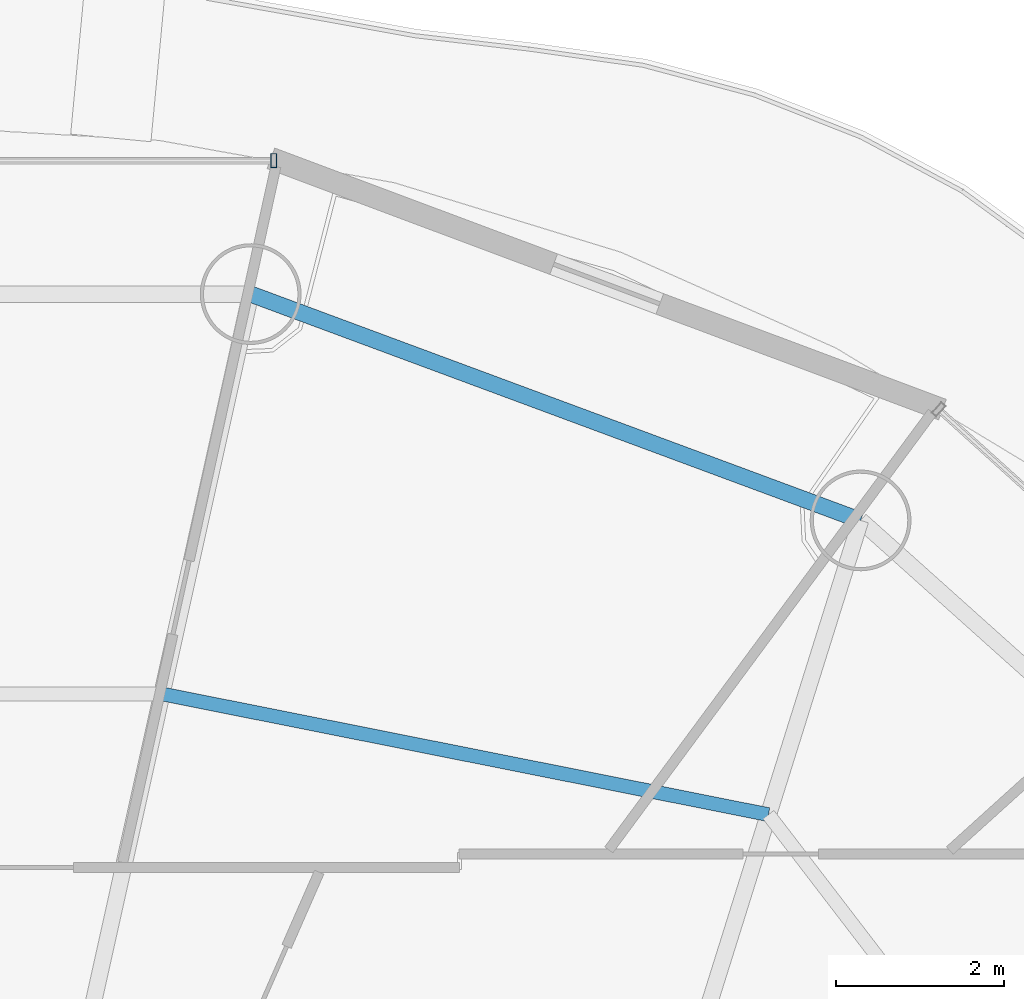
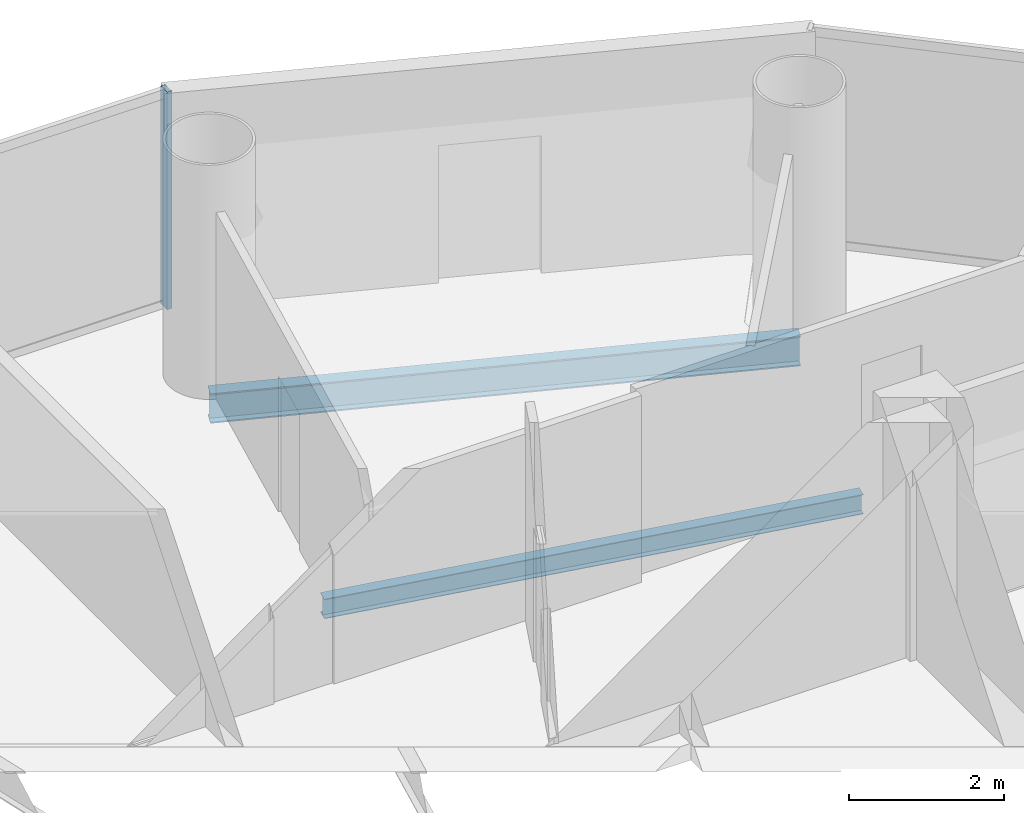
# One storey, part 17 of 27: 2 beams, 1 member, 1 element without a shape of its own.
"""IFC4 building model written with IfcOpenShell, lengths in metres."""

from ifc_helpers import new_model, si_unit, direction, frame, origin, origin_2d, place, context, subcontext, project, spatial, hollow_rectangle, i_section, extrude, source, transform, mapped, material, material_profile, profile_set, type_object, element, aggregate, save


model = new_model("IFC4")

# Units and contexts
model_context = context("Model", 3, precision=1e-05, world=origin(), true_north=direction((-0.2419218956, 0.970295726276)))
body_context = subcontext(model_context, "Body", "Model", "MODEL_VIEW")
ifc_project = project(units=[si_unit("LENGTHUNIT", "METRE"), si_unit("AREAUNIT", "SQUARE_METRE"), si_unit("VOLUMEUNIT", "CUBIC_METRE"), si_unit("PLANEANGLEUNIT", "RADIAN"), si_unit("MASSUNIT", "GRAM", prefix="KILO")], contexts=[model_context])

# Site, building, storey
site_placement = place(None, origin())
site = spatial("IfcSite", under=ifc_project, at=site_placement, CompositionType="ELEMENT")
building_placement = place(site_placement, origin())
building = spatial("IfcBuilding", under=site, at=building_placement, Name="Cobrevalo Terracotta Tower", CompositionType="ELEMENT")
storey_placement = place(building_placement, frame((0.0, 0.0, 191.199951171875)))
storey = spatial("IfcBuildingStorey", under=building, at=storey_placement, Name="L50", CompositionType="ELEMENT", Elevation=191.199951171875)

# Beams
ifc_material_1 = material(Name="Steel S355", Category="steel")
ifc_material_profile_1 = material_profile(ifc_material_1, i_section(OverallWidth=0.1650390625, OverallDepth=0.31005859375, WebThickness=0.005859375, FlangeThickness=0.009765625, at=origin_2d()), Name="W 310x38.7")
ifc_profile_set_1 = profile_set([ifc_material_profile_1], Name="Steel S355")
beam_type_1 = type_object("IfcBeamType", Name="Structural Joist W 310x38.7 (Steel S355)", PredefinedType="JOIST", material=ifc_profile_set_1)
beam_1_placement = place(storey_placement, frame((48.097412109375, 38.303955078125, -0.419921875), z_axis=(-0.980762562197, 0.195204499418, 0.0), x_axis=(-0.195204499418, -0.980762562197, 0.0)))
element("IfcBeam", 1, at=beam_1_placement, inside=storey, type_object=beam_type_1, Name="L50 circumferential secondary floor joist 03", PredefinedType="JOIST", context=body_context, shape_type="SweptSolid", body=[
    extrude(i_section(OverallWidth=0.1650390625, OverallDepth=0.31005859375, WebThickness=0.005859375, FlangeThickness=0.009765625, at=origin_2d()), origin(), (0.0, 0.0, 1.0), 7.365234375),
])
ifc_material_profile_2 = material_profile(ifc_material_1, i_section(OverallWidth=0.194091796875, OverallDepth=0.468994140625, WebThickness=0.011474609375, FlangeThickness=0.0205078125, at=origin_2d()), Name="W 460x106")
ifc_profile_set_2 = profile_set([ifc_material_profile_2], Name="Steel S355")
beam_type_2 = type_object("IfcBeamType", Name="Structural Spandrel W 460x106 (Steel S355)", PredefinedType="SPANDREL", material=ifc_profile_set_2)
beam_2_placement = place(storey_placement, frame((49.19482421875, 41.80810546875, -0.49951171875), z_axis=(-0.937545996665, 0.347861328892, 0.0), x_axis=(-0.347861328892, -0.937545996665, 0.0)))
element("IfcBeam", 2, at=beam_2_placement, inside=storey, type_object=beam_type_2, Name="L50 perimeter ring spandrel 03", PredefinedType="SPANDREL", context=body_context, shape_type="SweptSolid", body=[
    extrude(i_section(OverallWidth=0.194091796875, OverallDepth=0.468994140625, WebThickness=0.011474609375, FlangeThickness=0.0205078125, at=origin_2d()), origin(), (0.0, 0.0, 1.0), 7.74755859375),
])

# Curtain wall, member
ifc_material_2 = material(Name="Anodized aluminium", Category="aluminium")
curtain_wall_type = type_object("IfcCurtainWallType", Name="Mid-tower high-wind unitised curtain wall CW-U2", PredefinedType="NOTDEFINED", material=ifc_material_2)
curtain_wall_placement = place(storey_placement, origin())
curtain_wall = element("IfcCurtainWall", 3, at=curtain_wall_placement, inside=storey, type_object=curtain_wall_type, Name="L50 curtain wall CW-L50-S04", PredefinedType="NOTDEFINED")
ifc_material_profile_3 = material_profile(ifc_material_2, hollow_rectangle(XDim=0.070068359375, YDim=0.169921875, WallThickness=0.00439453125, at=origin_2d()), Name="CWM 70x170")
ifc_profile_set_3 = profile_set([ifc_material_profile_3], Name="Anodized aluminium")
member_type = type_object("IfcMemberType", Name="Upper tower unitised mullion 70x170", PredefinedType="MULLION", material=ifc_profile_set_3)
shared_shape = source(origin(), body_context, "Body", "SweptSolid", [
    extrude(hollow_rectangle(XDim=0.070068359375, YDim=0.169921875, WallThickness=0.00439453125, at=origin_2d()), origin(), (0.0, 0.0, 1.0), 3.43505859375),
])
member_placement = place(storey_placement, frame((42.20703125, 46.092041015625, 0.0), z_axis=(0.0, 0.0, 1.0), x_axis=(-1.0, 0.0, 0.0)))
member = element("IfcMember", 4, at=member_placement, type_object=member_type, Name="CW-L50-S04 vertical mullion 01", PredefinedType="MULLION", context=body_context, shape_type="MappedRepresentation", body=[
    mapped(shared_shape, transform((0.0, 0.0, 0.0), scale=1.0)),
])
aggregate(curtain_wall, [member])

save(model, "model.ifc")
